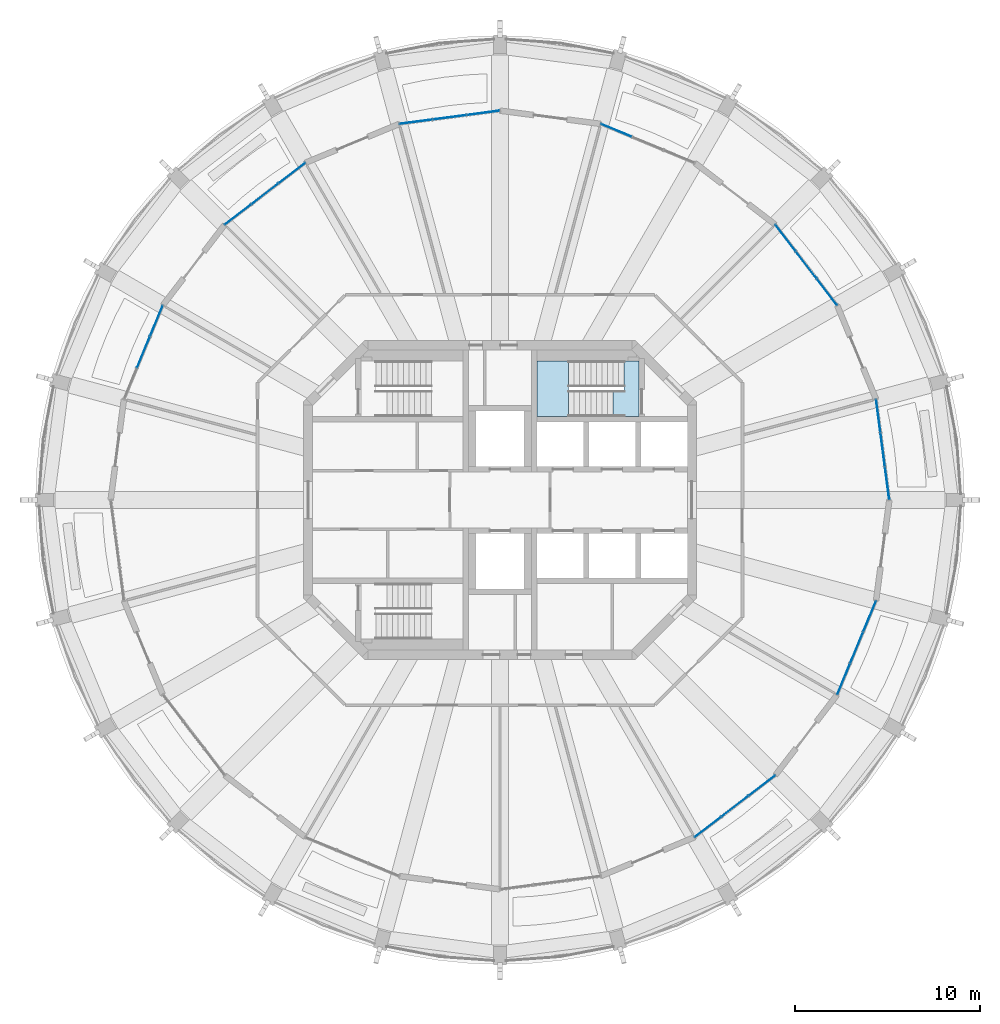
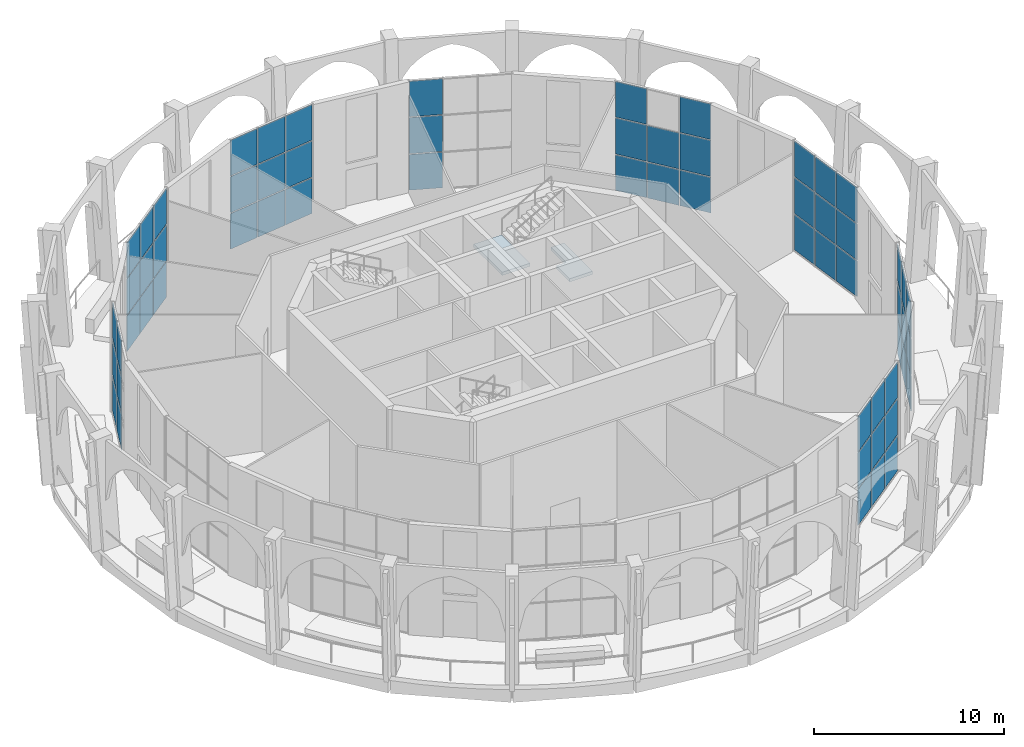
# One storey, part 9 of 17: 62 plates, 2 slabs, 9 elements without a shape of their own.
"""IFC4 building model written with IfcOpenShell, lengths in metres."""

from ifc_helpers import new_model, si_unit, direction, frame, origin, origin_2d, place, context, subcontext, project, spatial, polyline, rectangle, outline, extrude, material, layer, layer_set, type_object, element, aggregate, save


model = new_model("IFC4")

# Units and contexts
model_context = context("Model", 3, precision=1e-05, world=origin(), true_north=direction((0.0, 1.0)))
body_context = subcontext(model_context, "Body", "Model", "MODEL_VIEW")
ifc_project = project(units=[si_unit("LENGTHUNIT", "METRE"), si_unit("AREAUNIT", "SQUARE_METRE"), si_unit("VOLUMEUNIT", "CUBIC_METRE"), si_unit("PLANEANGLEUNIT", "RADIAN"), si_unit("MASSUNIT", "GRAM", prefix="KILO")], contexts=[model_context])

# Site, building, storey
site_placement = place(None, origin())
site = spatial("IfcSite", under=ifc_project, at=site_placement, CompositionType="ELEMENT")
building_placement = place(site_placement, origin())
building = spatial("IfcBuilding", under=site, at=building_placement, Name="Torre Triforio", CompositionType="ELEMENT")
storey_placement = place(building_placement, frame((0.0, 0.0, 276.0)))
storey = spatial("IfcBuildingStorey", under=building, at=storey_placement, Name="L64", CompositionType="ELEMENT", Elevation=276.0)

# Curtain wall, plates
ifc_material_1 = material(Name="Aluminium mullion and transom frame with clear laminated glass", Category="aluminium")
curtain_wall_type = type_object("IfcCurtainWallType", Name="Sky garden conservatory wall ECW3", PredefinedType="NOTDEFINED", material=ifc_material_1)
curtain_wall_1_placement = place(storey_placement, origin())
curtain_wall_1 = element("IfcCurtainWall", 1, at=curtain_wall_1_placement, inside=storey, type_object=curtain_wall_type, Name="Conservatory wall L64 bay 01", PredefinedType="NOTDEFINED")
ifc_material_2 = material(Name="Clear laminated glass", Category="glass")
ifc_layer_1 = layer(ifc_material_2, 0.028076171875)
ifc_layer_set_1 = layer_set([ifc_layer_1], Name="Clear laminated glass")
plate_type = type_object("IfcPlateType", Name="ECW3 glass panel 28", PredefinedType="CURTAIN_PANEL", material=ifc_layer_set_1)
plate_1_placement = place(storey_placement, frame((20.88134765625, 0.90087890625, 0.06005859375), z_axis=(0.0, 0.0, 1.0), x_axis=(-0.130530127386, 0.991444343291, 0.0)))
plate_1 = element("IfcPlate", 2, at=plate_1_placement, type_object=plate_type, Name="ECW3 panel 1.1", PredefinedType="CURTAIN_PANEL", context=body_context, shape_type="SweptSolid", body=[
    extrude(rectangle(XDim=1.75732421875, YDim=0.028076171875, at=origin_2d()), origin(), (0.0, 0.0, 1.0), 2.283203125),
])
plate_2_placement = place(storey_placement, frame((20.88134765625, 0.90087890625, 2.4033203125), z_axis=(0.0, 0.0, 1.0), x_axis=(-0.130530127386, 0.991444343291, 0.0)))
plate_2 = element("IfcPlate", 3, at=plate_2_placement, type_object=plate_type, Name="ECW3 panel 1.2", PredefinedType="CURTAIN_PANEL", context=body_context, shape_type="SweptSolid", body=[
    extrude(rectangle(XDim=1.75732421875, YDim=0.028076171875, at=origin_2d()), origin(), (0.0, 0.0, 1.0), 2.3134765625),
])
plate_3_placement = place(storey_placement, frame((20.88134765625, 0.90087890625, 4.77685546875), z_axis=(0.0, 0.0, 1.0), x_axis=(-0.130530127386, 0.991444343291, 0.0)))
plate_3 = element("IfcPlate", 4, at=plate_3_placement, type_object=plate_type, Name="ECW3 panel 1.3", PredefinedType="CURTAIN_PANEL", context=body_context, shape_type="SweptSolid", body=[
    extrude(rectangle(XDim=1.75732421875, YDim=0.028076171875, at=origin_2d()), origin(), (0.0, 0.0, 1.0), 2.283203125),
])
plate_4_placement = place(storey_placement, frame((20.64208984375, 2.717529296875, 0.06005859375), z_axis=(0.0, 0.0, 1.0), x_axis=(-0.130530127386, 0.991444343291, 0.0)))
plate_4 = element("IfcPlate", 5, at=plate_4_placement, type_object=plate_type, Name="ECW3 panel 2.1", PredefinedType="CURTAIN_PANEL", context=body_context, shape_type="SweptSolid", body=[
    extrude(rectangle(XDim=1.787353515625, YDim=0.028076171875, at=origin_2d()), origin(), (0.0, 0.0, 1.0), 2.283203125),
])
plate_5_placement = place(storey_placement, frame((20.64208984375, 2.717529296875, 2.4033203125), z_axis=(0.0, 0.0, 1.0), x_axis=(-0.130530127386, 0.991444343291, 0.0)))
plate_5 = element("IfcPlate", 6, at=plate_5_placement, type_object=plate_type, Name="ECW3 panel 2.2", PredefinedType="CURTAIN_PANEL", context=body_context, shape_type="SweptSolid", body=[
    extrude(rectangle(XDim=1.787353515625, YDim=0.028076171875, at=origin_2d()), origin(), (0.0, 0.0, 1.0), 2.3134765625),
])
plate_6_placement = place(storey_placement, frame((20.64208984375, 2.717529296875, 4.77685546875), z_axis=(0.0, 0.0, 1.0), x_axis=(-0.130530127386, 0.991444343291, 0.0)))
plate_6 = element("IfcPlate", 7, at=plate_6_placement, type_object=plate_type, Name="ECW3 panel 2.3", PredefinedType="CURTAIN_PANEL", context=body_context, shape_type="SweptSolid", body=[
    extrude(rectangle(XDim=1.787353515625, YDim=0.028076171875, at=origin_2d()), origin(), (0.0, 0.0, 1.0), 2.283203125),
])
plate_7_placement = place(storey_placement, frame((20.403076171875, 4.5341796875, 0.06005859375), z_axis=(0.0, 0.0, 1.0), x_axis=(-0.130530127386, 0.991444343291, 0.0)))
plate_7 = element("IfcPlate", 8, at=plate_7_placement, type_object=plate_type, Name="ECW3 panel 3.1", PredefinedType="CURTAIN_PANEL", context=body_context, shape_type="SweptSolid", body=[
    extrude(rectangle(XDim=1.75732421875, YDim=0.028076171875, at=origin_2d()), origin(), (0.0, 0.0, 1.0), 2.283203125),
])
plate_8_placement = place(storey_placement, frame((20.403076171875, 4.5341796875, 2.4033203125), z_axis=(0.0, 0.0, 1.0), x_axis=(-0.130530127386, 0.991444343291, 0.0)))
plate_8 = element("IfcPlate", 9, at=plate_8_placement, type_object=plate_type, Name="ECW3 panel 3.2", PredefinedType="CURTAIN_PANEL", context=body_context, shape_type="SweptSolid", body=[
    extrude(rectangle(XDim=1.75732421875, YDim=0.028076171875, at=origin_2d()), origin(), (0.0, 0.0, 1.0), 2.3134765625),
])
plate_9_placement = place(storey_placement, frame((20.403076171875, 4.5341796875, 4.77685546875), z_axis=(0.0, 0.0, 1.0), x_axis=(-0.130530127386, 0.991444343291, 0.0)))
plate_9 = element("IfcPlate", 10, at=plate_9_placement, type_object=plate_type, Name="ECW3 panel 3.3", PredefinedType="CURTAIN_PANEL", context=body_context, shape_type="SweptSolid", body=[
    extrude(rectangle(XDim=1.75732421875, YDim=0.028076171875, at=origin_2d()), origin(), (0.0, 0.0, 1.0), 2.283203125),
])
aggregate(curtain_wall_1, [plate_1, plate_2, plate_3, plate_4, plate_5, plate_6, plate_7, plate_8, plate_9])

curtain_wall_2_placement = place(storey_placement, origin())
curtain_wall_2 = element("IfcCurtainWall", 11, at=curtain_wall_2_placement, inside=storey, type_object=curtain_wall_type, Name="Conservatory wall L64 bay 03", PredefinedType="NOTDEFINED")
plate_10_placement = place(storey_placement, frame((17.63330078125, 11.220947265625, 0.06005859375), z_axis=(0.0, 0.0, 1.0), x_axis=(-0.608763325538, 0.793351885029, 0.0)))
plate_10 = element("IfcPlate", 12, at=plate_10_placement, type_object=plate_type, Name="ECW3 panel 1.1", PredefinedType="CURTAIN_PANEL", context=body_context, shape_type="SweptSolid", body=[
    extrude(rectangle(XDim=1.75732421875, YDim=0.028076171875, at=origin_2d()), origin(), (0.0, 0.0, 1.0), 2.283203125),
])
plate_11_placement = place(storey_placement, frame((17.63330078125, 11.220947265625, 2.4033203125), z_axis=(0.0, 0.0, 1.0), x_axis=(-0.608763325538, 0.793351885029, 0.0)))
plate_11 = element("IfcPlate", 13, at=plate_11_placement, type_object=plate_type, Name="ECW3 panel 1.2", PredefinedType="CURTAIN_PANEL", context=body_context, shape_type="SweptSolid", body=[
    extrude(rectangle(XDim=1.75732421875, YDim=0.028076171875, at=origin_2d()), origin(), (0.0, 0.0, 1.0), 2.3134765625),
])
plate_12_placement = place(storey_placement, frame((17.63330078125, 11.220947265625, 4.77685546875), z_axis=(0.0, 0.0, 1.0), x_axis=(-0.608763325538, 0.793351885029, 0.0)))
plate_12 = element("IfcPlate", 14, at=plate_12_placement, type_object=plate_type, Name="ECW3 panel 1.3", PredefinedType="CURTAIN_PANEL", context=body_context, shape_type="SweptSolid", body=[
    extrude(rectangle(XDim=1.75732421875, YDim=0.028076171875, at=origin_2d()), origin(), (0.0, 0.0, 1.0), 2.283203125),
])
plate_13_placement = place(storey_placement, frame((16.517822265625, 12.674560546875, 0.06005859375), z_axis=(0.0, 0.0, 1.0), x_axis=(-0.608763325538, 0.793351885029, 0.0)))
plate_13 = element("IfcPlate", 15, at=plate_13_placement, type_object=plate_type, Name="ECW3 panel 2.1", PredefinedType="CURTAIN_PANEL", context=body_context, shape_type="SweptSolid", body=[
    extrude(rectangle(XDim=1.787353515625, YDim=0.028076171875, at=origin_2d()), origin(), (0.0, 0.0, 1.0), 2.283203125),
])
plate_14_placement = place(storey_placement, frame((16.517822265625, 12.674560546875, 2.4033203125), z_axis=(0.0, 0.0, 1.0), x_axis=(-0.608763325538, 0.793351885029, 0.0)))
plate_14 = element("IfcPlate", 16, at=plate_14_placement, type_object=plate_type, Name="ECW3 panel 2.2", PredefinedType="CURTAIN_PANEL", context=body_context, shape_type="SweptSolid", body=[
    extrude(rectangle(XDim=1.787353515625, YDim=0.028076171875, at=origin_2d()), origin(), (0.0, 0.0, 1.0), 2.3134765625),
])
plate_15_placement = place(storey_placement, frame((15.40234375, 14.12841796875, 0.06005859375), z_axis=(0.0, 0.0, 1.0), x_axis=(-0.608763325538, 0.793351885029, 0.0)))
plate_15 = element("IfcPlate", 17, at=plate_15_placement, type_object=plate_type, Name="ECW3 panel 3.1", PredefinedType="CURTAIN_PANEL", context=body_context, shape_type="SweptSolid", body=[
    extrude(rectangle(XDim=1.75732421875, YDim=0.028076171875, at=origin_2d()), origin(), (0.0, 0.0, 1.0), 2.283203125),
])
plate_16_placement = place(storey_placement, frame((15.40234375, 14.12841796875, 2.4033203125), z_axis=(0.0, 0.0, 1.0), x_axis=(-0.608763325538, 0.793351885029, 0.0)))
plate_16 = element("IfcPlate", 18, at=plate_16_placement, type_object=plate_type, Name="ECW3 panel 3.2", PredefinedType="CURTAIN_PANEL", context=body_context, shape_type="SweptSolid", body=[
    extrude(rectangle(XDim=1.75732421875, YDim=0.028076171875, at=origin_2d()), origin(), (0.0, 0.0, 1.0), 2.3134765625),
])
plate_17_placement = place(storey_placement, frame((15.40234375, 14.12841796875, 4.77685546875), z_axis=(0.0, 0.0, 1.0), x_axis=(-0.608763325538, 0.793351885029, 0.0)))
plate_17 = element("IfcPlate", 19, at=plate_17_placement, type_object=plate_type, Name="ECW3 panel 3.3", PredefinedType="CURTAIN_PANEL", context=body_context, shape_type="SweptSolid", body=[
    extrude(rectangle(XDim=1.75732421875, YDim=0.028076171875, at=origin_2d()), origin(), (0.0, 0.0, 1.0), 2.283203125),
])
aggregate(curtain_wall_2, [plate_10, plate_11, plate_12, plate_13, plate_14, plate_15, plate_16, plate_17])

curtain_wall_3_placement = place(storey_placement, origin())
curtain_wall_3 = element("IfcCurtainWall", 20, at=curtain_wall_3_placement, inside=storey, type_object=curtain_wall_type, Name="Conservatory wall L64 bay 05", PredefinedType="NOTDEFINED")
plate_18_placement = place(storey_placement, frame((6.274658203125, 19.936767578125, 0.06005859375), z_axis=(0.0, 0.0, 1.0), x_axis=(-0.923883122974, 0.382674764107, 0.0)))
plate_18 = element("IfcPlate", 21, at=plate_18_placement, type_object=plate_type, Name="ECW3 panel 3.1", PredefinedType="CURTAIN_PANEL", context=body_context, shape_type="SweptSolid", body=[
    extrude(rectangle(XDim=1.75732421875, YDim=0.028076171875, at=origin_2d()), origin(), (0.0, 0.0, 1.0), 2.283203125),
])
plate_19_placement = place(storey_placement, frame((6.274658203125, 19.936767578125, 2.4033203125), z_axis=(0.0, 0.0, 1.0), x_axis=(-0.923883122974, 0.382674764107, 0.0)))
plate_19 = element("IfcPlate", 22, at=plate_19_placement, type_object=plate_type, Name="ECW3 panel 3.2", PredefinedType="CURTAIN_PANEL", context=body_context, shape_type="SweptSolid", body=[
    extrude(rectangle(XDim=1.75732421875, YDim=0.028076171875, at=origin_2d()), origin(), (0.0, 0.0, 1.0), 2.3134765625),
])
plate_20_placement = place(storey_placement, frame((6.274658203125, 19.936767578125, 4.77685546875), z_axis=(0.0, 0.0, 1.0), x_axis=(-0.923883122974, 0.382674764107, 0.0)))
plate_20 = element("IfcPlate", 23, at=plate_20_placement, type_object=plate_type, Name="ECW3 panel 3.3", PredefinedType="CURTAIN_PANEL", context=body_context, shape_type="SweptSolid", body=[
    extrude(rectangle(XDim=1.75732421875, YDim=0.028076171875, at=origin_2d()), origin(), (0.0, 0.0, 1.0), 2.283203125),
])
aggregate(curtain_wall_3, [plate_18, plate_19, plate_20])

curtain_wall_4_placement = place(storey_placement, origin())
curtain_wall_4 = element("IfcCurtainWall", 24, at=curtain_wall_4_placement, inside=storey, type_object=curtain_wall_type, Name="Conservatory wall L64 bay 07", PredefinedType="NOTDEFINED")
plate_21_placement = place(storey_placement, frame((-0.90087890625, 20.88134765625, 0.06005859375), z_axis=(0.0, 0.0, 1.0), x_axis=(-0.991444343291, -0.130530127386, 0.0)))
plate_21 = element("IfcPlate", 25, at=plate_21_placement, type_object=plate_type, Name="ECW3 panel 1.1", PredefinedType="CURTAIN_PANEL", context=body_context, shape_type="SweptSolid", body=[
    extrude(rectangle(XDim=1.75732421875, YDim=0.028076171875, at=origin_2d()), origin(), (0.0, 0.0, 1.0), 2.283203125),
])
plate_22_placement = place(storey_placement, frame((-0.90087890625, 20.88134765625, 2.4033203125), z_axis=(0.0, 0.0, 1.0), x_axis=(-0.991444343291, -0.130530127386, 0.0)))
plate_22 = element("IfcPlate", 26, at=plate_22_placement, type_object=plate_type, Name="ECW3 panel 1.2", PredefinedType="CURTAIN_PANEL", context=body_context, shape_type="SweptSolid", body=[
    extrude(rectangle(XDim=1.75732421875, YDim=0.028076171875, at=origin_2d()), origin(), (0.0, 0.0, 1.0), 2.3134765625),
])
plate_23_placement = place(storey_placement, frame((-0.90087890625, 20.88134765625, 4.77685546875), z_axis=(0.0, 0.0, 1.0), x_axis=(-0.991444343291, -0.130530127386, 0.0)))
plate_23 = element("IfcPlate", 27, at=plate_23_placement, type_object=plate_type, Name="ECW3 panel 1.3", PredefinedType="CURTAIN_PANEL", context=body_context, shape_type="SweptSolid", body=[
    extrude(rectangle(XDim=1.75732421875, YDim=0.028076171875, at=origin_2d()), origin(), (0.0, 0.0, 1.0), 2.283203125),
])
plate_24_placement = place(storey_placement, frame((-2.717529296875, 20.64208984375, 0.06005859375), z_axis=(0.0, 0.0, 1.0), x_axis=(-0.991444343291, -0.130530127386, 0.0)))
plate_24 = element("IfcPlate", 28, at=plate_24_placement, type_object=plate_type, Name="ECW3 panel 2.1", PredefinedType="CURTAIN_PANEL", context=body_context, shape_type="SweptSolid", body=[
    extrude(rectangle(XDim=1.787353515625, YDim=0.028076171875, at=origin_2d()), origin(), (0.0, 0.0, 1.0), 2.283203125),
])
plate_25_placement = place(storey_placement, frame((-2.717529296875, 20.64208984375, 2.4033203125), z_axis=(0.0, 0.0, 1.0), x_axis=(-0.991444343291, -0.130530127386, 0.0)))
plate_25 = element("IfcPlate", 29, at=plate_25_placement, type_object=plate_type, Name="ECW3 panel 2.2", PredefinedType="CURTAIN_PANEL", context=body_context, shape_type="SweptSolid", body=[
    extrude(rectangle(XDim=1.787353515625, YDim=0.028076171875, at=origin_2d()), origin(), (0.0, 0.0, 1.0), 2.3134765625),
])
plate_26_placement = place(storey_placement, frame((-2.717529296875, 20.64208984375, 4.77685546875), z_axis=(0.0, 0.0, 1.0), x_axis=(-0.991444343291, -0.130530127386, 0.0)))
plate_26 = element("IfcPlate", 30, at=plate_26_placement, type_object=plate_type, Name="ECW3 panel 2.3", PredefinedType="CURTAIN_PANEL", context=body_context, shape_type="SweptSolid", body=[
    extrude(rectangle(XDim=1.787353515625, YDim=0.028076171875, at=origin_2d()), origin(), (0.0, 0.0, 1.0), 2.283203125),
])
plate_27_placement = place(storey_placement, frame((-4.5341796875, 20.403076171875, 0.06005859375), z_axis=(0.0, 0.0, 1.0), x_axis=(-0.991444343291, -0.130530127386, 0.0)))
plate_27 = element("IfcPlate", 31, at=plate_27_placement, type_object=plate_type, Name="ECW3 panel 3.1", PredefinedType="CURTAIN_PANEL", context=body_context, shape_type="SweptSolid", body=[
    extrude(rectangle(XDim=1.75732421875, YDim=0.028076171875, at=origin_2d()), origin(), (0.0, 0.0, 1.0), 2.283203125),
])
plate_28_placement = place(storey_placement, frame((-4.5341796875, 20.403076171875, 2.4033203125), z_axis=(0.0, 0.0, 1.0), x_axis=(-0.991444343291, -0.130530127386, 0.0)))
plate_28 = element("IfcPlate", 32, at=plate_28_placement, type_object=plate_type, Name="ECW3 panel 3.2", PredefinedType="CURTAIN_PANEL", context=body_context, shape_type="SweptSolid", body=[
    extrude(rectangle(XDim=1.75732421875, YDim=0.028076171875, at=origin_2d()), origin(), (0.0, 0.0, 1.0), 2.3134765625),
])
plate_29_placement = place(storey_placement, frame((-4.5341796875, 20.403076171875, 4.77685546875), z_axis=(0.0, 0.0, 1.0), x_axis=(-0.991444343291, -0.130530127386, 0.0)))
plate_29 = element("IfcPlate", 33, at=plate_29_placement, type_object=plate_type, Name="ECW3 panel 3.3", PredefinedType="CURTAIN_PANEL", context=body_context, shape_type="SweptSolid", body=[
    extrude(rectangle(XDim=1.75732421875, YDim=0.028076171875, at=origin_2d()), origin(), (0.0, 0.0, 1.0), 2.283203125),
])
aggregate(curtain_wall_4, [plate_21, plate_22, plate_23, plate_24, plate_25, plate_26, plate_27, plate_28, plate_29])

curtain_wall_5_placement = place(storey_placement, origin())
curtain_wall_5 = element("IfcCurtainWall", 34, at=curtain_wall_5_placement, inside=storey, type_object=curtain_wall_type, Name="Conservatory wall L64 bay 09", PredefinedType="NOTDEFINED")
plate_30_placement = place(storey_placement, frame((-11.220947265625, 17.63330078125, 0.06005859375), z_axis=(0.0, 0.0, 1.0), x_axis=(-0.793351885029, -0.608763325538, 0.0)))
plate_30 = element("IfcPlate", 35, at=plate_30_placement, type_object=plate_type, Name="ECW3 panel 1.1", PredefinedType="CURTAIN_PANEL", context=body_context, shape_type="SweptSolid", body=[
    extrude(rectangle(XDim=1.75732421875, YDim=0.028076171875, at=origin_2d()), origin(), (0.0, 0.0, 1.0), 2.283203125),
])
plate_31_placement = place(storey_placement, frame((-11.220947265625, 17.63330078125, 2.4033203125), z_axis=(0.0, 0.0, 1.0), x_axis=(-0.793351885029, -0.608763325538, 0.0)))
plate_31 = element("IfcPlate", 36, at=plate_31_placement, type_object=plate_type, Name="ECW3 panel 1.2", PredefinedType="CURTAIN_PANEL", context=body_context, shape_type="SweptSolid", body=[
    extrude(rectangle(XDim=1.75732421875, YDim=0.028076171875, at=origin_2d()), origin(), (0.0, 0.0, 1.0), 2.3134765625),
])
plate_32_placement = place(storey_placement, frame((-11.220947265625, 17.63330078125, 4.77685546875), z_axis=(0.0, 0.0, 1.0), x_axis=(-0.793351885029, -0.608763325538, 0.0)))
plate_32 = element("IfcPlate", 37, at=plate_32_placement, type_object=plate_type, Name="ECW3 panel 1.3", PredefinedType="CURTAIN_PANEL", context=body_context, shape_type="SweptSolid", body=[
    extrude(rectangle(XDim=1.75732421875, YDim=0.028076171875, at=origin_2d()), origin(), (0.0, 0.0, 1.0), 2.283203125),
])
plate_33_placement = place(storey_placement, frame((-12.674560546875, 16.517822265625, 0.06005859375), z_axis=(0.0, 0.0, 1.0), x_axis=(-0.793351885029, -0.608763325538, 0.0)))
plate_33 = element("IfcPlate", 38, at=plate_33_placement, type_object=plate_type, Name="ECW3 panel 2.1", PredefinedType="CURTAIN_PANEL", context=body_context, shape_type="SweptSolid", body=[
    extrude(rectangle(XDim=1.787353515625, YDim=0.028076171875, at=origin_2d()), origin(), (0.0, 0.0, 1.0), 2.283203125),
])
plate_34_placement = place(storey_placement, frame((-12.674560546875, 16.517822265625, 2.4033203125), z_axis=(0.0, 0.0, 1.0), x_axis=(-0.793351885029, -0.608763325538, 0.0)))
plate_34 = element("IfcPlate", 39, at=plate_34_placement, type_object=plate_type, Name="ECW3 panel 2.2", PredefinedType="CURTAIN_PANEL", context=body_context, shape_type="SweptSolid", body=[
    extrude(rectangle(XDim=1.787353515625, YDim=0.028076171875, at=origin_2d()), origin(), (0.0, 0.0, 1.0), 2.3134765625),
])
plate_35_placement = place(storey_placement, frame((-12.674560546875, 16.517822265625, 4.77685546875), z_axis=(0.0, 0.0, 1.0), x_axis=(-0.793351885029, -0.608763325538, 0.0)))
plate_35 = element("IfcPlate", 40, at=plate_35_placement, type_object=plate_type, Name="ECW3 panel 2.3", PredefinedType="CURTAIN_PANEL", context=body_context, shape_type="SweptSolid", body=[
    extrude(rectangle(XDim=1.787353515625, YDim=0.028076171875, at=origin_2d()), origin(), (0.0, 0.0, 1.0), 2.283203125),
])
plate_36_placement = place(storey_placement, frame((-14.12841796875, 15.40234375, 0.06005859375), z_axis=(0.0, 0.0, 1.0), x_axis=(-0.793351885029, -0.608763325538, 0.0)))
plate_36 = element("IfcPlate", 41, at=plate_36_placement, type_object=plate_type, Name="ECW3 panel 3.1", PredefinedType="CURTAIN_PANEL", context=body_context, shape_type="SweptSolid", body=[
    extrude(rectangle(XDim=1.75732421875, YDim=0.028076171875, at=origin_2d()), origin(), (0.0, 0.0, 1.0), 2.283203125),
])
plate_37_placement = place(storey_placement, frame((-14.12841796875, 15.40234375, 2.4033203125), z_axis=(0.0, 0.0, 1.0), x_axis=(-0.793351885029, -0.608763325538, 0.0)))
plate_37 = element("IfcPlate", 42, at=plate_37_placement, type_object=plate_type, Name="ECW3 panel 3.2", PredefinedType="CURTAIN_PANEL", context=body_context, shape_type="SweptSolid", body=[
    extrude(rectangle(XDim=1.75732421875, YDim=0.028076171875, at=origin_2d()), origin(), (0.0, 0.0, 1.0), 2.3134765625),
])
plate_38_placement = place(storey_placement, frame((-14.12841796875, 15.40234375, 4.77685546875), z_axis=(0.0, 0.0, 1.0), x_axis=(-0.793351885029, -0.608763325538, 0.0)))
plate_38 = element("IfcPlate", 43, at=plate_38_placement, type_object=plate_type, Name="ECW3 panel 3.3", PredefinedType="CURTAIN_PANEL", context=body_context, shape_type="SweptSolid", body=[
    extrude(rectangle(XDim=1.75732421875, YDim=0.028076171875, at=origin_2d()), origin(), (0.0, 0.0, 1.0), 2.283203125),
])
aggregate(curtain_wall_5, [plate_30, plate_31, plate_32, plate_33, plate_34, plate_35, plate_36, plate_37, plate_38])

curtain_wall_6_placement = place(storey_placement, origin())
curtain_wall_6 = element("IfcCurtainWall", 44, at=curtain_wall_6_placement, inside=storey, type_object=curtain_wall_type, Name="Conservatory wall L64 bay 11", PredefinedType="NOTDEFINED")
plate_39_placement = place(storey_placement, frame((-18.534423828125, 9.660400390625, 0.06005859375), z_axis=(0.0, 0.0, 1.0), x_axis=(-0.382674764107, -0.923883122974, 0.0)))
plate_39 = element("IfcPlate", 45, at=plate_39_placement, type_object=plate_type, Name="ECW3 panel 1.1", PredefinedType="CURTAIN_PANEL", context=body_context, shape_type="SweptSolid", body=[
    extrude(rectangle(XDim=1.75732421875, YDim=0.028076171875, at=origin_2d()), origin(), (0.0, 0.0, 1.0), 2.283203125),
])
plate_40_placement = place(storey_placement, frame((-18.534423828125, 9.660400390625, 2.4033203125), z_axis=(0.0, 0.0, 1.0), x_axis=(-0.382674764107, -0.923883122974, 0.0)))
plate_40 = element("IfcPlate", 46, at=plate_40_placement, type_object=plate_type, Name="ECW3 panel 1.2", PredefinedType="CURTAIN_PANEL", context=body_context, shape_type="SweptSolid", body=[
    extrude(rectangle(XDim=1.75732421875, YDim=0.028076171875, at=origin_2d()), origin(), (0.0, 0.0, 1.0), 2.3134765625),
])
plate_41_placement = place(storey_placement, frame((-18.534423828125, 9.660400390625, 4.77685546875), z_axis=(0.0, 0.0, 1.0), x_axis=(-0.382674764107, -0.923883122974, 0.0)))
plate_41 = element("IfcPlate", 47, at=plate_41_placement, type_object=plate_type, Name="ECW3 panel 1.3", PredefinedType="CURTAIN_PANEL", context=body_context, shape_type="SweptSolid", body=[
    extrude(rectangle(XDim=1.75732421875, YDim=0.028076171875, at=origin_2d()), origin(), (0.0, 0.0, 1.0), 2.283203125),
])
plate_42_placement = place(storey_placement, frame((-19.235595703125, 7.967529296875, 0.06005859375), z_axis=(0.0, 0.0, 1.0), x_axis=(-0.382674764107, -0.923883122974, 0.0)))
plate_42 = element("IfcPlate", 48, at=plate_42_placement, type_object=plate_type, Name="ECW3 panel 2.1", PredefinedType="CURTAIN_PANEL", context=body_context, shape_type="SweptSolid", body=[
    extrude(rectangle(XDim=1.787353515625, YDim=0.028076171875, at=origin_2d()), origin(), (0.0, 0.0, 1.0), 2.283203125),
])
plate_43_placement = place(storey_placement, frame((-19.235595703125, 7.967529296875, 2.4033203125), z_axis=(0.0, 0.0, 1.0), x_axis=(-0.382674764107, -0.923883122974, 0.0)))
plate_43 = element("IfcPlate", 49, at=plate_43_placement, type_object=plate_type, Name="ECW3 panel 2.2", PredefinedType="CURTAIN_PANEL", context=body_context, shape_type="SweptSolid", body=[
    extrude(rectangle(XDim=1.787353515625, YDim=0.028076171875, at=origin_2d()), origin(), (0.0, 0.0, 1.0), 2.3134765625),
])
plate_44_placement = place(storey_placement, frame((-19.235595703125, 7.967529296875, 4.77685546875), z_axis=(0.0, 0.0, 1.0), x_axis=(-0.382674764107, -0.923883122974, 0.0)))
plate_44 = element("IfcPlate", 50, at=plate_44_placement, type_object=plate_type, Name="ECW3 panel 2.3", PredefinedType="CURTAIN_PANEL", context=body_context, shape_type="SweptSolid", body=[
    extrude(rectangle(XDim=1.787353515625, YDim=0.028076171875, at=origin_2d()), origin(), (0.0, 0.0, 1.0), 2.283203125),
])
aggregate(curtain_wall_6, [plate_39, plate_40, plate_41, plate_42, plate_43, plate_44])

curtain_wall_7_placement = place(storey_placement, origin())
curtain_wall_7 = element("IfcCurtainWall", 51, at=curtain_wall_7_placement, inside=storey, type_object=curtain_wall_type, Name="Conservatory wall L64 bay 21", PredefinedType="NOTDEFINED")
plate_45_placement = place(storey_placement, frame((11.220947265625, -17.63330078125, 0.06005859375), z_axis=(0.0, 0.0, 1.0), x_axis=(0.793351885029, 0.608763325538, 0.0)))
plate_45 = element("IfcPlate", 52, at=plate_45_placement, type_object=plate_type, Name="ECW3 panel 1.1", PredefinedType="CURTAIN_PANEL", context=body_context, shape_type="SweptSolid", body=[
    extrude(rectangle(XDim=1.75732421875, YDim=0.028076171875, at=origin_2d()), origin(), (0.0, 0.0, 1.0), 2.283203125),
])
plate_46_placement = place(storey_placement, frame((11.220947265625, -17.63330078125, 2.4033203125), z_axis=(0.0, 0.0, 1.0), x_axis=(0.793351885029, 0.608763325538, 0.0)))
plate_46 = element("IfcPlate", 53, at=plate_46_placement, type_object=plate_type, Name="ECW3 panel 1.2", PredefinedType="CURTAIN_PANEL", context=body_context, shape_type="SweptSolid", body=[
    extrude(rectangle(XDim=1.75732421875, YDim=0.028076171875, at=origin_2d()), origin(), (0.0, 0.0, 1.0), 2.3134765625),
])
plate_47_placement = place(storey_placement, frame((11.220947265625, -17.63330078125, 4.77685546875), z_axis=(0.0, 0.0, 1.0), x_axis=(0.793351885029, 0.608763325538, 0.0)))
plate_47 = element("IfcPlate", 54, at=plate_47_placement, type_object=plate_type, Name="ECW3 panel 1.3", PredefinedType="CURTAIN_PANEL", context=body_context, shape_type="SweptSolid", body=[
    extrude(rectangle(XDim=1.75732421875, YDim=0.028076171875, at=origin_2d()), origin(), (0.0, 0.0, 1.0), 2.283203125),
])
plate_48_placement = place(storey_placement, frame((12.674560546875, -16.517822265625, 0.06005859375), z_axis=(0.0, 0.0, 1.0), x_axis=(0.793351885029, 0.608763325538, 0.0)))
plate_48 = element("IfcPlate", 55, at=plate_48_placement, type_object=plate_type, Name="ECW3 panel 2.1", PredefinedType="CURTAIN_PANEL", context=body_context, shape_type="SweptSolid", body=[
    extrude(rectangle(XDim=1.787353515625, YDim=0.028076171875, at=origin_2d()), origin(), (0.0, 0.0, 1.0), 2.283203125),
])
plate_49_placement = place(storey_placement, frame((12.674560546875, -16.517822265625, 2.4033203125), z_axis=(0.0, 0.0, 1.0), x_axis=(0.793351885029, 0.608763325538, 0.0)))
plate_49 = element("IfcPlate", 56, at=plate_49_placement, type_object=plate_type, Name="ECW3 panel 2.2", PredefinedType="CURTAIN_PANEL", context=body_context, shape_type="SweptSolid", body=[
    extrude(rectangle(XDim=1.787353515625, YDim=0.028076171875, at=origin_2d()), origin(), (0.0, 0.0, 1.0), 2.3134765625),
])
plate_50_placement = place(storey_placement, frame((12.674560546875, -16.517822265625, 4.77685546875), z_axis=(0.0, 0.0, 1.0), x_axis=(0.793351885029, 0.608763325538, 0.0)))
plate_50 = element("IfcPlate", 57, at=plate_50_placement, type_object=plate_type, Name="ECW3 panel 2.3", PredefinedType="CURTAIN_PANEL", context=body_context, shape_type="SweptSolid", body=[
    extrude(rectangle(XDim=1.787353515625, YDim=0.028076171875, at=origin_2d()), origin(), (0.0, 0.0, 1.0), 2.283203125),
])
plate_51_placement = place(storey_placement, frame((14.12841796875, -15.40234375, 0.06005859375), z_axis=(0.0, 0.0, 1.0), x_axis=(0.793351885029, 0.608763325538, 0.0)))
plate_51 = element("IfcPlate", 58, at=plate_51_placement, type_object=plate_type, Name="ECW3 panel 3.1", PredefinedType="CURTAIN_PANEL", context=body_context, shape_type="SweptSolid", body=[
    extrude(rectangle(XDim=1.75732421875, YDim=0.028076171875, at=origin_2d()), origin(), (0.0, 0.0, 1.0), 2.283203125),
])
plate_52_placement = place(storey_placement, frame((14.12841796875, -15.40234375, 2.4033203125), z_axis=(0.0, 0.0, 1.0), x_axis=(0.793351885029, 0.608763325538, 0.0)))
plate_52 = element("IfcPlate", 59, at=plate_52_placement, type_object=plate_type, Name="ECW3 panel 3.2", PredefinedType="CURTAIN_PANEL", context=body_context, shape_type="SweptSolid", body=[
    extrude(rectangle(XDim=1.75732421875, YDim=0.028076171875, at=origin_2d()), origin(), (0.0, 0.0, 1.0), 2.3134765625),
])
plate_53_placement = place(storey_placement, frame((14.12841796875, -15.40234375, 4.77685546875), z_axis=(0.0, 0.0, 1.0), x_axis=(0.793351885029, 0.608763325538, 0.0)))
plate_53 = element("IfcPlate", 60, at=plate_53_placement, type_object=plate_type, Name="ECW3 panel 3.3", PredefinedType="CURTAIN_PANEL", context=body_context, shape_type="SweptSolid", body=[
    extrude(rectangle(XDim=1.75732421875, YDim=0.028076171875, at=origin_2d()), origin(), (0.0, 0.0, 1.0), 2.283203125),
])
aggregate(curtain_wall_7, [plate_45, plate_46, plate_47, plate_48, plate_49, plate_50, plate_51, plate_52, plate_53])

curtain_wall_8_placement = place(storey_placement, origin())
curtain_wall_8 = element("IfcCurtainWall", 61, at=curtain_wall_8_placement, inside=storey, type_object=curtain_wall_type, Name="Conservatory wall L64 bay 23", PredefinedType="NOTDEFINED")
plate_54_placement = place(storey_placement, frame((18.534423828125, -9.660400390625, 0.06005859375), z_axis=(0.0, 0.0, 1.0), x_axis=(0.382674764107, 0.923883122974, 0.0)))
plate_54 = element("IfcPlate", 62, at=plate_54_placement, type_object=plate_type, Name="ECW3 panel 1.1", PredefinedType="CURTAIN_PANEL", context=body_context, shape_type="SweptSolid", body=[
    extrude(rectangle(XDim=1.75732421875, YDim=0.028076171875, at=origin_2d()), origin(), (0.0, 0.0, 1.0), 2.283203125),
])
plate_55_placement = place(storey_placement, frame((18.534423828125, -9.660400390625, 2.4033203125), z_axis=(0.0, 0.0, 1.0), x_axis=(0.382674764107, 0.923883122974, 0.0)))
plate_55 = element("IfcPlate", 63, at=plate_55_placement, type_object=plate_type, Name="ECW3 panel 1.2", PredefinedType="CURTAIN_PANEL", context=body_context, shape_type="SweptSolid", body=[
    extrude(rectangle(XDim=1.75732421875, YDim=0.028076171875, at=origin_2d()), origin(), (0.0, 0.0, 1.0), 2.3134765625),
])
plate_56_placement = place(storey_placement, frame((18.534423828125, -9.660400390625, 4.77685546875), z_axis=(0.0, 0.0, 1.0), x_axis=(0.382674764107, 0.923883122974, 0.0)))
plate_56 = element("IfcPlate", 64, at=plate_56_placement, type_object=plate_type, Name="ECW3 panel 1.3", PredefinedType="CURTAIN_PANEL", context=body_context, shape_type="SweptSolid", body=[
    extrude(rectangle(XDim=1.75732421875, YDim=0.028076171875, at=origin_2d()), origin(), (0.0, 0.0, 1.0), 2.283203125),
])
plate_57_placement = place(storey_placement, frame((19.235595703125, -7.967529296875, 0.06005859375), z_axis=(0.0, 0.0, 1.0), x_axis=(0.382674764107, 0.923883122974, 0.0)))
plate_57 = element("IfcPlate", 65, at=plate_57_placement, type_object=plate_type, Name="ECW3 panel 2.1", PredefinedType="CURTAIN_PANEL", context=body_context, shape_type="SweptSolid", body=[
    extrude(rectangle(XDim=1.787353515625, YDim=0.028076171875, at=origin_2d()), origin(), (0.0, 0.0, 1.0), 2.283203125),
])
plate_58_placement = place(storey_placement, frame((19.235595703125, -7.967529296875, 2.4033203125), z_axis=(0.0, 0.0, 1.0), x_axis=(0.382674764107, 0.923883122974, 0.0)))
plate_58 = element("IfcPlate", 66, at=plate_58_placement, type_object=plate_type, Name="ECW3 panel 2.2", PredefinedType="CURTAIN_PANEL", context=body_context, shape_type="SweptSolid", body=[
    extrude(rectangle(XDim=1.787353515625, YDim=0.028076171875, at=origin_2d()), origin(), (0.0, 0.0, 1.0), 2.3134765625),
])
plate_59_placement = place(storey_placement, frame((19.235595703125, -7.967529296875, 4.77685546875), z_axis=(0.0, 0.0, 1.0), x_axis=(0.382674764107, 0.923883122974, 0.0)))
plate_59 = element("IfcPlate", 67, at=plate_59_placement, type_object=plate_type, Name="ECW3 panel 2.3", PredefinedType="CURTAIN_PANEL", context=body_context, shape_type="SweptSolid", body=[
    extrude(rectangle(XDim=1.787353515625, YDim=0.028076171875, at=origin_2d()), origin(), (0.0, 0.0, 1.0), 2.283203125),
])
plate_60_placement = place(storey_placement, frame((19.936767578125, -6.274658203125, 0.06005859375), z_axis=(0.0, 0.0, 1.0), x_axis=(0.382674764107, 0.923883122974, 0.0)))
plate_60 = element("IfcPlate", 68, at=plate_60_placement, type_object=plate_type, Name="ECW3 panel 3.1", PredefinedType="CURTAIN_PANEL", context=body_context, shape_type="SweptSolid", body=[
    extrude(rectangle(XDim=1.75732421875, YDim=0.028076171875, at=origin_2d()), origin(), (0.0, 0.0, 1.0), 2.283203125),
])
plate_61_placement = place(storey_placement, frame((19.936767578125, -6.274658203125, 2.4033203125), z_axis=(0.0, 0.0, 1.0), x_axis=(0.382674764107, 0.923883122974, 0.0)))
plate_61 = element("IfcPlate", 69, at=plate_61_placement, type_object=plate_type, Name="ECW3 panel 3.2", PredefinedType="CURTAIN_PANEL", context=body_context, shape_type="SweptSolid", body=[
    extrude(rectangle(XDim=1.75732421875, YDim=0.028076171875, at=origin_2d()), origin(), (0.0, 0.0, 1.0), 2.3134765625),
])
plate_62_placement = place(storey_placement, frame((19.936767578125, -6.274658203125, 4.77685546875), z_axis=(0.0, 0.0, 1.0), x_axis=(0.382674764107, 0.923883122974, 0.0)))
plate_62 = element("IfcPlate", 70, at=plate_62_placement, type_object=plate_type, Name="ECW3 panel 3.3", PredefinedType="CURTAIN_PANEL", context=body_context, shape_type="SweptSolid", body=[
    extrude(rectangle(XDim=1.75732421875, YDim=0.028076171875, at=origin_2d()), origin(), (0.0, 0.0, 1.0), 2.283203125),
])
aggregate(curtain_wall_8, [plate_54, plate_55, plate_56, plate_57, plate_58, plate_59, plate_60, plate_61, plate_62])

# Stair, slabs
ifc_material_3 = material(Name="Concrete C40", Category="concrete")
stair_type = type_object("IfcStairType", Name="STAIR DOUBLE RETURN", PredefinedType="DOUBLE_RETURN_STAIR", material=ifc_material_3)
stair_placement = place(storey_placement, origin())
stair = element("IfcStair", 71, at=stair_placement, inside=storey, type_object=stair_type, Name="Exit stair 2", PredefinedType="DOUBLE_RETURN_STAIR")
ifc_layer_2 = layer(ifc_material_3, 0.199951171875)
ifc_layer_set_2 = layer_set([ifc_layer_2], Name="Concrete C40")
slab_type = type_object("IfcSlabType", Name="STAIR LANDING 200", PredefinedType="LANDING", material=ifc_layer_set_2)
slab_1_placement = place(storey_placement, frame((0.0, 0.0, 3.5)))
slab_1 = element("IfcSlab", 72, at=slab_1_placement, type_object=slab_type, Name="ST2 landing 2", PredefinedType="LANDING", context=body_context, shape_type="SweptSolid", body=[
    extrude(outline(polyline([(6.10009765625, 4.5), (6.10009765625, 5.89990234375), (6.696044921875, 5.89990234375), (6.696044921875, 7.5), (7.5, 7.5), (7.5, 4.5), (6.699951171875, 4.5), (6.696044921875, 4.5), (6.10009765625, 4.5)])), origin(), (0.0, 0.0, 1.0), 0.199951171875),
])
slab_2_placement = place(storey_placement, frame((0.0, 0.0, 5.35009765625)))
slab_2 = element("IfcSlab", 73, at=slab_2_placement, type_object=slab_type, Name="ST2 landing 3", PredefinedType="LANDING", context=body_context, shape_type="SweptSolid", body=[
    extrude(outline(polyline([(3.699951171875, 4.5), (3.699951171875, 7.5), (2.0, 7.5), (2.0, 4.5), (3.699951171875, 4.5)])), origin(), (0.0, 0.0, 1.0), 0.199951171875),
])
aggregate(stair, [slab_1, slab_2])

save(model, "model.ifc")
